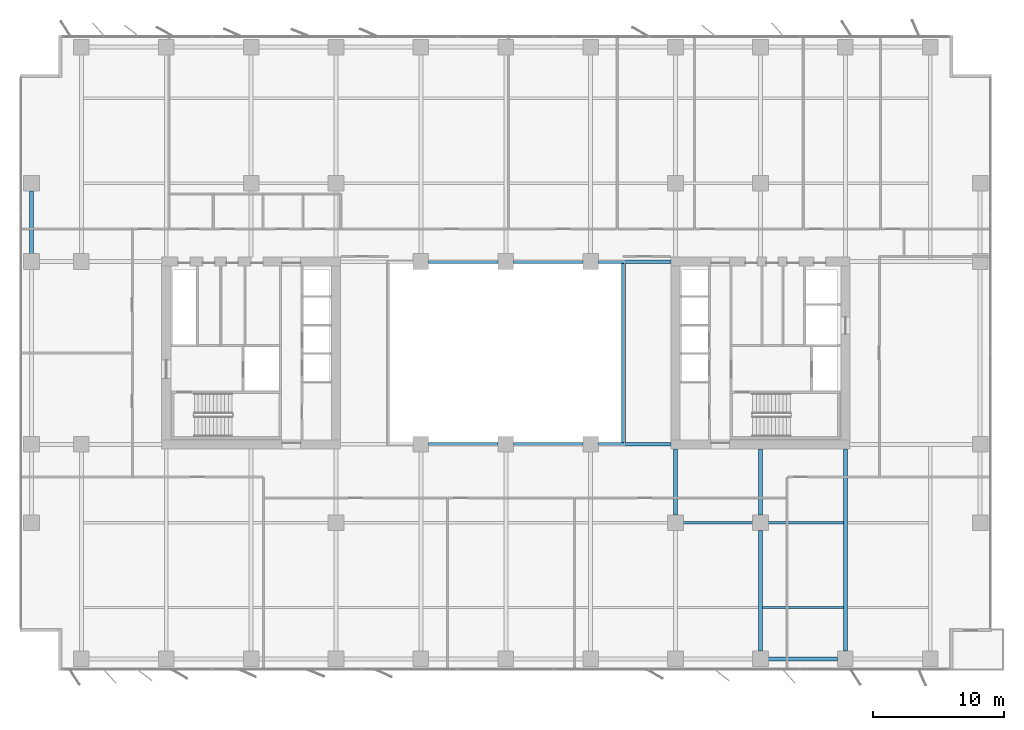
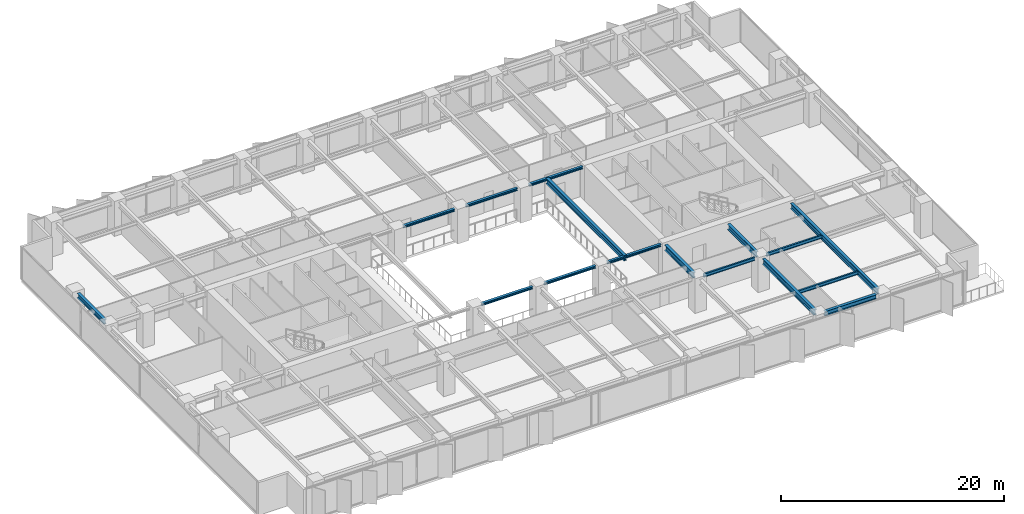
# One storey, part 6 of 20: 16 beams.
"""IFC4 building model written with IfcOpenShell, lengths in metres."""

from ifc_helpers import new_model, si_unit, direction, frame, origin, origin_2d, place, context, subcontext, project, spatial, i_section, extrude, material, material_profile, profile_set, type_object, element, save


model = new_model("IFC4")

# Units and contexts
model_context = context("Model", 3, precision=1e-05, world=origin(), true_north=direction((0.0, 1.0)))
body_context = subcontext(model_context, "Body", "Model", "MODEL_VIEW")
ifc_project = project(units=[si_unit("LENGTHUNIT", "METRE"), si_unit("AREAUNIT", "SQUARE_METRE"), si_unit("VOLUMEUNIT", "CUBIC_METRE"), si_unit("PLANEANGLEUNIT", "RADIAN"), si_unit("MASSUNIT", "GRAM", prefix="KILO")], contexts=[model_context])

# Site, building, storey
site_placement = place(None, origin())
site = spatial("IfcSite", under=ifc_project, at=site_placement, CompositionType="ELEMENT")
building_placement = place(site_placement, origin())
building = spatial("IfcBuilding", under=site, at=building_placement, Name="Putna Gate Headquarters", CompositionType="ELEMENT")
storey_placement = place(building_placement, frame((0.0, 0.0, 112.60009765625)))
storey = spatial("IfcBuildingStorey", under=building, at=storey_placement, Name="L27", CompositionType="ELEMENT", Elevation=112.60009765625)

# Beams
ifc_material = material(Name="Steel S355J2", Category="steel")
ifc_material_profile_1 = material_profile(ifc_material, i_section(OverallWidth=0.260009765625, OverallDepth=0.260009765625, WebThickness=0.010009765625, FlangeThickness=0.017578125, at=origin_2d()), Name="Steel S355J2")
ifc_profile_set_1 = profile_set([ifc_material_profile_1], Name="Steel S355J2")
beam_type_1 = type_object("IfcBeamType", Name="BM-ATRIUM-HEB260", PredefinedType="BEAM", material=ifc_profile_set_1)
for number, where, z_axis, x_axis, name in (
    (1, (33.087890625, 19.0, 3.434814453125), (1.0, 0.0, 0.0), (0.0, 1.0, 0.0), "L27 Atrium Edge Beam AS2"),
    (2, (39.587890625, 19.0, 3.434814453125), (1.0, 0.0, 0.0), (0.0, 1.0, 0.0), "L27 Atrium Edge Beam AS3"),
):
    element("IfcBeam", number, at=place(storey_placement, frame(where, z_axis=z_axis, x_axis=x_axis)), inside=storey, type_object=beam_type_1, Name=name, PredefinedType="BEAM", context=body_context, shape_type="SweptSolid", body=[
        extrude(i_section(OverallWidth=0.260009765625, OverallDepth=0.260009765625, WebThickness=0.010009765625, FlangeThickness=0.017578125, at=origin_2d()), origin(), (0.0, 0.0, 1.0), 5.32421875),
    ])
beam_1_placement = place(storey_placement, frame((46.087890625, 19.0, 3.434814453125), z_axis=(1.0, 0.0, 0.0), x_axis=(0.0, 1.0, 0.0)))
element("IfcBeam", 3, at=beam_1_placement, inside=storey, type_object=beam_type_1, Name="L27 Atrium Edge Beam AS4", PredefinedType="BEAM", context=body_context, shape_type="SweptSolid", body=[
    extrude(i_section(OverallWidth=0.260009765625, OverallDepth=0.260009765625, WebThickness=0.010009765625, FlangeThickness=0.017578125, at=origin_2d()), origin(), (0.0, 0.0, 1.0), 5.5771484375),
])
for number, where, z_axis, x_axis, name in (
    (4, (33.087890625, 33.0, 3.434814453125), (1.0, 0.0, 0.0), (0.0, 1.0, 0.0), "L27 Atrium Edge Beam AN2"),
    (5, (39.587890625, 33.0, 3.434814453125), (1.0, 0.0, 0.0), (0.0, 1.0, 0.0), "L27 Atrium Edge Beam AN3"),
):
    element("IfcBeam", number, at=place(storey_placement, frame(where, z_axis=z_axis, x_axis=x_axis)), inside=storey, type_object=beam_type_1, Name=name, PredefinedType="BEAM", context=body_context, shape_type="SweptSolid", body=[
        extrude(i_section(OverallWidth=0.260009765625, OverallDepth=0.260009765625, WebThickness=0.010009765625, FlangeThickness=0.017578125, at=origin_2d()), origin(), (0.0, 0.0, 1.0), 5.32421875),
    ])
beam_2_placement = place(storey_placement, frame((46.087890625, 33.0, 3.434814453125), z_axis=(1.0, 0.0, 0.0), x_axis=(0.0, 1.0, 0.0)))
element("IfcBeam", 6, at=beam_2_placement, inside=storey, type_object=beam_type_1, Name="L27 Atrium Edge Beam AN4", PredefinedType="BEAM", context=body_context, shape_type="SweptSolid", body=[
    extrude(i_section(OverallWidth=0.260009765625, OverallDepth=0.260009765625, WebThickness=0.010009765625, FlangeThickness=0.017578125, at=origin_2d()), origin(), (0.0, 0.0, 1.0), 5.5771484375),
])
ifc_material_profile_2 = material_profile(ifc_material, i_section(OverallWidth=0.300048828125, OverallDepth=0.60009765625, WebThickness=0.015380859375, FlangeThickness=0.030029296875, at=origin_2d()), Name="Steel S355J2")
ifc_profile_set_2 = profile_set([ifc_material_profile_2], Name="Steel S355J2")
beam_type_2 = type_object("IfcBeamType", Name="BM-GIRD-Z2-HEB600", PredefinedType="USERDEFINED", material=ifc_profile_set_2)
beam_3_placement = place(storey_placement, frame((52.0, 13.587890625, 3.264892578125), z_axis=(0.0, 1.0, 0.0), x_axis=(-1.0, 0.0, 0.0)))
element("IfcBeam", 7, at=beam_3_placement, inside=storey, type_object=beam_type_2, Name="L27 South Primary Girder X52-2", ObjectType="GIRDER", PredefinedType="USERDEFINED", context=body_context, shape_type="SweptSolid", body=[
    extrude(i_section(OverallWidth=0.300048828125, OverallDepth=0.60009765625, WebThickness=0.015380859375, FlangeThickness=0.030029296875, at=origin_2d()), origin(), (0.0, 0.0, 1.0), 5.0771484375),
])
beam_4_placement = place(storey_placement, frame((58.5, 3.16796875, 3.264892578125), z_axis=(0.0, 1.0, 0.0), x_axis=(-1.0, 0.0, 0.0)))
element("IfcBeam", 8, at=beam_4_placement, inside=storey, type_object=beam_type_2, Name="L27 South Primary Girder X58-1", ObjectType="GIRDER", PredefinedType="USERDEFINED", context=body_context, shape_type="SweptSolid", body=[
    extrude(i_section(OverallWidth=0.300048828125, OverallDepth=0.60009765625, WebThickness=0.015380859375, FlangeThickness=0.030029296875, at=origin_2d()), origin(), (0.0, 0.0, 1.0), 9.244140625),
])
beam_5_placement = place(storey_placement, frame((58.5, 13.587890625, 3.264892578125), z_axis=(0.0, 1.0, 0.0), x_axis=(-1.0, 0.0, 0.0)))
element("IfcBeam", 9, at=beam_5_placement, inside=storey, type_object=beam_type_2, Name="L27 South Primary Girder X58-2", ObjectType="GIRDER", PredefinedType="USERDEFINED", context=body_context, shape_type="SweptSolid", body=[
    extrude(i_section(OverallWidth=0.300048828125, OverallDepth=0.60009765625, WebThickness=0.015380859375, FlangeThickness=0.030029296875, at=origin_2d()), origin(), (0.0, 0.0, 1.0), 5.0771484375),
])
beam_6_placement = place(storey_placement, frame((65.0, 3.16796875, 3.264892578125), z_axis=(0.0, 1.0, 0.0), x_axis=(-1.0, 0.0, 0.0)))
element("IfcBeam", 10, at=beam_6_placement, inside=storey, type_object=beam_type_2, Name="L27 South Primary Girder X65", ObjectType="GIRDER", PredefinedType="USERDEFINED", context=body_context, shape_type="SweptSolid", body=[
    extrude(i_section(OverallWidth=0.300048828125, OverallDepth=0.60009765625, WebThickness=0.015380859375, FlangeThickness=0.030029296875, at=origin_2d()), origin(), (0.0, 0.0, 1.0), 15.4970703125),
])
beam_7_placement = place(storey_placement, frame((48.0, 19.010009765625, 3.264892578125), z_axis=(0.0, 1.0, 0.0), x_axis=(-1.0, 0.0, 0.0)))
element("IfcBeam", 11, at=beam_7_placement, inside=storey, type_object=beam_type_2, Name="L27 Atrium Trim Girder AE", ObjectType="GIRDER", PredefinedType="USERDEFINED", context=body_context, shape_type="SweptSolid", body=[
    extrude(i_section(OverallWidth=0.300048828125, OverallDepth=0.60009765625, WebThickness=0.015380859375, FlangeThickness=0.030029296875, at=origin_2d()), origin(), (0.0, 0.0, 1.0), 13.97998046875),
])
ifc_material_profile_3 = material_profile(ifc_material, i_section(OverallWidth=0.169921875, OverallDepth=0.360107421875, WebThickness=0.008056640625, FlangeThickness=0.0126953125, at=origin_2d()), Name="Steel S355J2")
ifc_profile_set_3 = profile_set([ifc_material_profile_3], Name="Steel S355J2")
beam_type_3 = type_object("IfcBeamType", Name="BM-SEC-Z2-IPE360", PredefinedType="BEAM", material=ifc_profile_set_3)
beam_8_placement = place(storey_placement, frame((52.587890625, 13.0, 3.385009765625), z_axis=(1.0, 0.0, 0.0), x_axis=(0.0, 1.0, 0.0)))
element("IfcBeam", 12, at=beam_8_placement, inside=storey, type_object=beam_type_3, Name="L27 South Secondary Beam 8", PredefinedType="BEAM", context=body_context, shape_type="SweptSolid", body=[
    extrude(i_section(OverallWidth=0.169921875, OverallDepth=0.360107421875, WebThickness=0.008056640625, FlangeThickness=0.0126953125, at=origin_2d()), origin(), (0.0, 0.0, 1.0), 5.32421875),
])
beam_9_placement = place(storey_placement, frame((58.654052734375, 6.5, 3.385009765625), z_axis=(1.0, 0.0, 0.0), x_axis=(0.0, 1.0, 0.0)))
element("IfcBeam", 13, at=beam_9_placement, inside=storey, type_object=beam_type_3, Name="L27 South Secondary Beam 9", PredefinedType="BEAM", context=body_context, shape_type="SweptSolid", body=[
    extrude(i_section(OverallWidth=0.169921875, OverallDepth=0.360107421875, WebThickness=0.008056640625, FlangeThickness=0.0126953125, at=origin_2d()), origin(), (0.0, 0.0, 1.0), 6.19189453125),
])
beam_10_placement = place(storey_placement, frame((59.087890625, 13.0, 3.385009765625), z_axis=(1.0, 0.0, 0.0), x_axis=(0.0, 1.0, 0.0)))
element("IfcBeam", 14, at=beam_10_placement, inside=storey, type_object=beam_type_3, Name="L27 South Secondary Beam 9", PredefinedType="BEAM", context=body_context, shape_type="SweptSolid", body=[
    extrude(i_section(OverallWidth=0.169921875, OverallDepth=0.360107421875, WebThickness=0.008056640625, FlangeThickness=0.0126953125, at=origin_2d()), origin(), (0.0, 0.0, 1.0), 5.758056640625),
])
ifc_material_profile_4 = material_profile(ifc_material, i_section(OverallWidth=0.300048828125, OverallDepth=0.489990234375, WebThickness=0.011962890625, FlangeThickness=0.02294921875, at=origin_2d()), Name="Steel S355J2")
ifc_profile_set_4 = profile_set([ifc_material_profile_4], Name="Steel S355J2")
beam_type_4 = type_object("IfcBeamType", Name="BM-SPAN-Z2-HEA500", PredefinedType="SPANDREL", material=ifc_profile_set_4)
beam_11_placement = place(storey_placement, frame((59.087890625, 2.580078125, 3.31982421875), z_axis=(1.0, 0.0, 0.0), x_axis=(0.0, 1.0, 0.0)))
element("IfcBeam", 15, at=beam_11_placement, inside=storey, type_object=beam_type_4, Name="L27 S Perimeter Spandrel 9", PredefinedType="SPANDREL", context=body_context, shape_type="SweptSolid", body=[
    extrude(i_section(OverallWidth=0.300048828125, OverallDepth=0.489990234375, WebThickness=0.011962890625, FlangeThickness=0.02294921875, at=origin_2d()), origin(), (0.0, 0.0, 1.0), 5.32421875),
])
beam_12_placement = place(storey_placement, frame((2.679931640625, 33.587890625, 3.31982421875), z_axis=(0.0, 1.0, 0.0), x_axis=(-1.0, 0.0, 0.0)))
element("IfcBeam", 16, at=beam_12_placement, inside=storey, type_object=beam_type_4, Name="L27 W End Spandrel 3", PredefinedType="SPANDREL", context=body_context, shape_type="SweptSolid", body=[
    extrude(i_section(OverallWidth=0.300048828125, OverallDepth=0.489990234375, WebThickness=0.011962890625, FlangeThickness=0.02294921875, at=origin_2d()), origin(), (0.0, 0.0, 1.0), 4.82421875),
])

save(model, "model.ifc")
